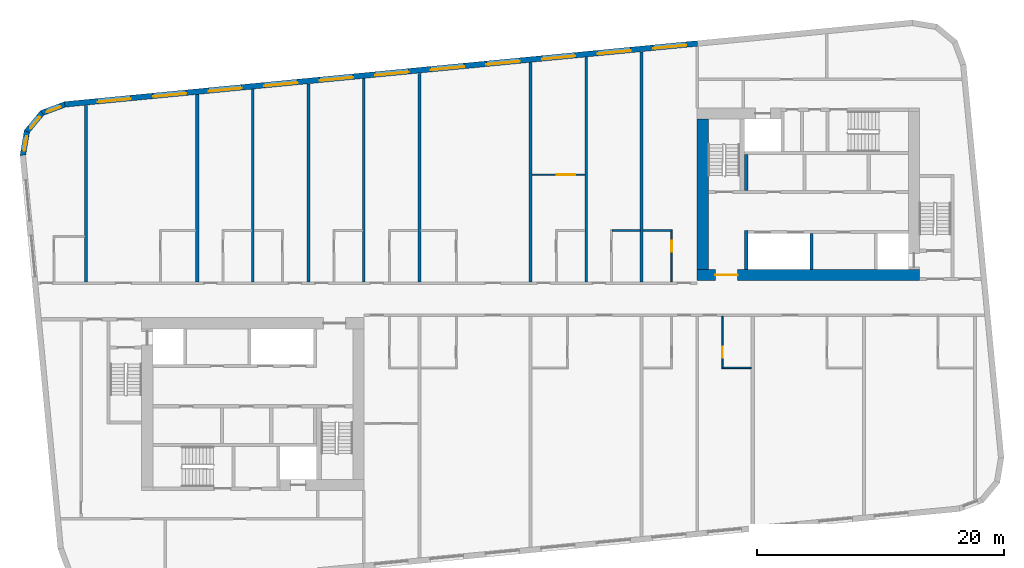
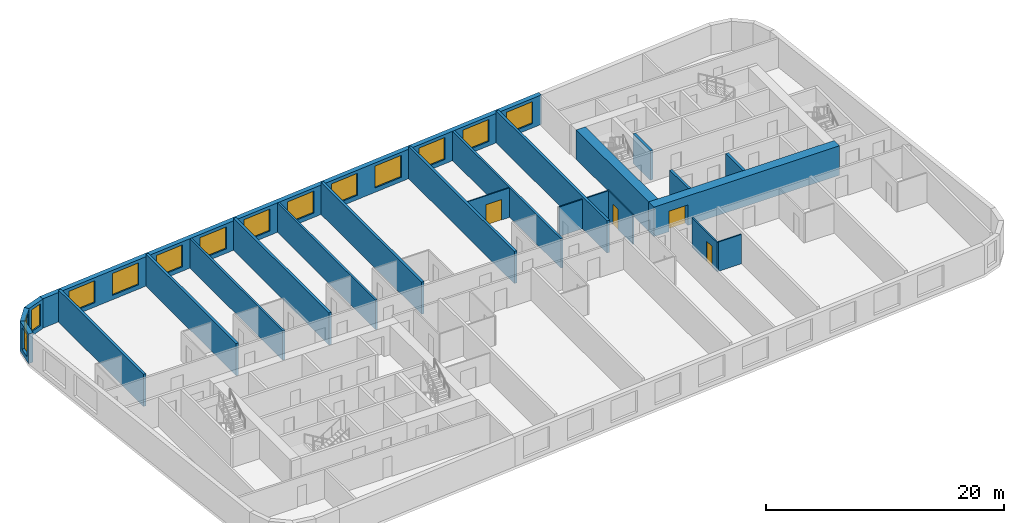
# One storey, part 5 of 11: 24 walls, 14 windows, 4 doors, 18 openings.
"""IFC4 building model written with IfcOpenShell, lengths in metres."""

from ifc_helpers import new_model, si_unit, direction, frame, frame_2d, origin, place, context, subcontext, project, spatial, polyline, rectangle, outline, extrude, material, layer, layer_set, type_object, element, fill, save


model = new_model("IFC4")

# Units and contexts
model_context = context("Model", 3, precision=1e-05, world=origin(), true_north=direction((0.0, 1.0)))
body_context = subcontext(model_context, "Body", "Model", "MODEL_VIEW")
ifc_project = project(units=[si_unit("LENGTHUNIT", "METRE"), si_unit("AREAUNIT", "SQUARE_METRE"), si_unit("VOLUMEUNIT", "CUBIC_METRE"), si_unit("PLANEANGLEUNIT", "RADIAN"), si_unit("MASSUNIT", "GRAM", prefix="KILO")], contexts=[model_context])

# Site, building, storey
site_placement = place(None, origin())
site = spatial("IfcSite", under=ifc_project, at=site_placement, CompositionType="ELEMENT")
building_placement = place(site_placement, origin())
building = spatial("IfcBuilding", under=site, at=building_placement, Name="Kajstack Hotel Tower", CompositionType="ELEMENT")
storey_placement = place(building_placement, frame((0.0, 0.0, 291.60009765625)))
storey = spatial("IfcBuildingStorey", under=building, at=storey_placement, Name="L73", CompositionType="ELEMENT", Elevation=291.60009765625)

# Wall, opening, door
ifc_material_1 = material(Name="Concrete C60/75", Category="concrete")
ifc_layer_1 = layer(ifc_material_1, 0.89990234375)
ifc_layer_set_1 = layer_set([ifc_layer_1], Name="Core wall 900")
wall_type_1 = type_object("IfcWallType", Name="Core wall 900", PredefinedType="SHEAR", material=ifc_layer_set_1)
wall_1_placement = place(storey_placement, frame((13.5, 1.949951171875, 0.0), z_axis=(0.0, 0.0, 1.0), x_axis=(1.0, 0.0, 0.0)))
wall_1 = element("IfcWall", 1, at=wall_1_placement, inside=storey, type_object=wall_type_1, Name="Core wall E RN", PredefinedType="SHEAR", context=body_context, shape_type="SweptSolid", body=[
    extrude(rectangle(XDim=18.0, YDim=0.89990234375, at=frame_2d((9.0, 0.0))), origin(), (0.0, 0.0, 1.0), 3.02001953125),
])
opening_1_placement = place(wall_1_placement, frame((1.47509765625, 0.0, 0.0)))
opening_1 = element("IfcOpeningElement", 2, at=opening_1_placement, cuts=wall_1, Name="Opening 73E05", PredefinedType="OPENING", context=body_context, shape_type="SweptSolid", body=[
    extrude(rectangle(XDim=1.800048828125, YDim=2.10009765625, at=frame_2d((0.89990234375, 1.050048828125))), frame((0.0, 0.4599609375, 0.0), z_axis=(0.0, -1.0, 0.0), x_axis=(1.0, 0.0, 0.0)), (0.0, 0.0, 1.0), 0.919921875),
])
ifc_material_2 = material(Name="Glazed steel frame, fire-rated glass", Category="steel")
door_type_1 = type_object("IfcDoorType", Name="Lobby double door 1800", OperationType="DOUBLE_DOOR_DOUBLE_SWING", PredefinedType="DOOR", material=ifc_material_2)
door_1_placement = place(opening_1_placement, origin())
door_1 = element("IfcDoor", 3, at=door_1_placement, inside=storey, type_object=door_type_1, Name="Door 73E05", OperationType="DOUBLE_DOOR_DOUBLE_SWING", OverallHeight=2.10009765625, OverallWidth=1.800048828125, PredefinedType="DOOR", context=body_context, shape_type="SweptSolid", body=[
    extrude(rectangle(XDim=1.800048828125, YDim=2.10009765625, at=frame_2d((0.89990234375, 1.050048828125))), frame((0.0, 0.02490234375, 0.0), z_axis=(0.0, -1.0, 0.0), x_axis=(1.0, 0.0, 0.0)), (0.0, 0.0, 1.0), 0.050048828125),
])
fill(opening_1, door_1)

# Walls
wall_2_placement = place(storey_placement, frame((13.949951171875, 2.39990234375, 0.0), z_axis=(0.0, 0.0, 1.0), x_axis=(0.0, 1.0, 0.0)))
element("IfcWall", 4, at=wall_2_placement, inside=storey, type_object=wall_type_1, Name="Core wall E RE", PredefinedType="SHEAR", context=body_context, shape_type="SweptSolid", body=[
    extrude(rectangle(XDim=12.2001953125, YDim=0.89990234375, at=frame_2d((6.10009765625, 0.0))), origin(), (0.0, 0.0, 1.0), 3.02001953125),
])
ifc_material_3 = material(Name="Twin-frame gypsum board on steel studs, mineral wool", Category="steel")
ifc_layer_2 = layer(ifc_material_3, 0.199951171875)
ifc_layer_set_2 = layer_set([ifc_layer_2], Name="Demising wall 200")
wall_type_2 = type_object("IfcWallType", Name="Demising wall 200", PredefinedType="PARTITIONING", material=ifc_layer_set_2)
wall_3_placement = place(storey_placement, frame((-22.5, 1.39990234375, 0.0), z_axis=(0.0, 0.0, 1.0), x_axis=(0.0, 1.0, 0.0)))
element("IfcWall", 5, at=wall_3_placement, inside=storey, type_object=wall_type_2, Name="G-wall-L73-008", PredefinedType="PARTITIONING", context=body_context, shape_type="SweptSolid", body=[
    extrude(rectangle(XDim=15.6181640625, YDim=0.199951171875, at=frame_2d((7.80908203125, 0.0))), origin(), (0.0, 0.0, 1.0), 3.02001953125),
])
wall_4_placement = place(storey_placement, frame((-13.5, 1.39990234375, 0.0), z_axis=(0.0, 0.0, 1.0), x_axis=(0.0, 1.0, 0.0)))
element("IfcWall", 6, at=wall_4_placement, inside=storey, type_object=wall_type_2, Name="G-wall-L73-013", PredefinedType="PARTITIONING", context=body_context, shape_type="SweptSolid", body=[
    extrude(rectangle(XDim=16.485107421875, YDim=0.199951171875, at=frame_2d((8.24267578125, 0.0))), origin(), (0.0, 0.0, 1.0), 3.02001953125),
])
wall_5_placement = place(storey_placement, frame((4.5, 1.39990234375, 0.0), z_axis=(0.0, 0.0, 1.0), x_axis=(0.0, 1.0, 0.0)))
element("IfcWall", 7, at=wall_5_placement, inside=storey, type_object=wall_type_2, Name="G-wall-L73-020", PredefinedType="PARTITIONING", context=body_context, shape_type="SweptSolid", body=[
    extrude(rectangle(XDim=18.218017578125, YDim=0.199951171875, at=frame_2d((9.10888671875, 0.0))), origin(), (0.0, 0.0, 1.0), 3.02001953125),
])

# Wall, openings, windows
ifc_material_4 = material(Name="Terracotta-faced brick masonry", Category="masonry")
ifc_layer_3 = layer(ifc_material_4, 0.449951171875)
ifc_layer_set_3 = layer_set([ifc_layer_3], Name="EW-TERRA")
wall_type_3 = type_object("IfcWallType", Name="EW-TERRA", PredefinedType="SOLIDWALL", material=ifc_layer_set_3)
wall_6_placement = place(storey_placement, frame((13.521484375, 20.712890625, 0.0), z_axis=(0.0, 0.0, 1.0), x_axis=(-0.995396277313, -0.095844932638, 0.0)))
wall_6 = element("IfcWall", 8, at=wall_6_placement, inside=storey, type_object=wall_type_3, Name="E-wall-L73-12-01", PredefinedType="SOLIDWALL", context=body_context, shape_type="SweptSolid", body=[
    extrude(rectangle(XDim=51.4951171875, YDim=0.449951171875, at=frame_2d((25.74755859375, 0.0))), origin(), (0.0, 0.0, 1.0), 3.02001953125),
])
opening_2_placement = place(wall_6_placement, frame((0.910400390625, 0.0, 0.449951171875)))
opening_2 = element("IfcOpeningElement", 9, at=opening_2_placement, cuts=wall_6, Name="Opening W1", PredefinedType="OPENING", context=body_context, shape_type="SweptSolid", body=[
    extrude(rectangle(XDim=2.699951171875, YDim=2.25, at=frame_2d((1.35009765625, 1.125))), frame((0.0, 0.23486328125, 0.0), z_axis=(0.0, -1.0, 0.0), x_axis=(1.0, 0.0, 0.0)), (0.0, 0.0, 1.0), 0.469970703125),
])
opening_3_placement = place(wall_6_placement, frame((5.43115234375, 0.0, 0.449951171875)))
opening_3 = element("IfcOpeningElement", 10, at=opening_3_placement, cuts=wall_6, Name="Opening W1", PredefinedType="OPENING", context=body_context, shape_type="SweptSolid", body=[
    extrude(rectangle(XDim=2.699951171875, YDim=2.25, at=frame_2d((1.35009765625, 1.125))), frame((0.0, 0.23486328125, 0.0), z_axis=(0.0, -1.0, 0.0), x_axis=(1.0, 0.0, 0.0)), (0.0, 0.0, 1.0), 0.469970703125),
])
opening_4_placement = place(wall_6_placement, frame((9.951904296875, 0.0, 0.449951171875)))
opening_4 = element("IfcOpeningElement", 11, at=opening_4_placement, cuts=wall_6, Name="Opening W1", PredefinedType="OPENING", context=body_context, shape_type="SweptSolid", body=[
    extrude(rectangle(XDim=2.699951171875, YDim=2.25, at=frame_2d((1.35009765625, 1.125))), frame((0.0, 0.23486328125, 0.0), z_axis=(0.0, -1.0, 0.0), x_axis=(1.0, 0.0, 0.0)), (0.0, 0.0, 1.0), 0.469970703125),
])
opening_5_placement = place(wall_6_placement, frame((14.472900390625, 0.0, 0.449951171875)))
opening_5 = element("IfcOpeningElement", 12, at=opening_5_placement, cuts=wall_6, Name="Opening W1", PredefinedType="OPENING", context=body_context, shape_type="SweptSolid", body=[
    extrude(rectangle(XDim=2.699951171875, YDim=2.25, at=frame_2d((1.35009765625, 1.125))), frame((0.0, 0.23486328125, 0.0), z_axis=(0.0, -1.0, 0.0), x_axis=(1.0, 0.0, 0.0)), (0.0, 0.0, 1.0), 0.469970703125),
])
opening_6_placement = place(wall_6_placement, frame((18.99365234375, 0.0, 0.449951171875)))
opening_6 = element("IfcOpeningElement", 13, at=opening_6_placement, cuts=wall_6, Name="Opening W1", PredefinedType="OPENING", context=body_context, shape_type="SweptSolid", body=[
    extrude(rectangle(XDim=2.699951171875, YDim=2.25, at=frame_2d((1.35009765625, 1.125))), frame((0.0, 0.23486328125, 0.0), z_axis=(0.0, -1.0, 0.0), x_axis=(1.0, 0.0, 0.0)), (0.0, 0.0, 1.0), 0.469970703125),
])
opening_7_placement = place(wall_6_placement, frame((23.514404296875, 0.0, 0.449951171875)))
opening_7 = element("IfcOpeningElement", 14, at=opening_7_placement, cuts=wall_6, Name="Opening W1", PredefinedType="OPENING", context=body_context, shape_type="SweptSolid", body=[
    extrude(rectangle(XDim=2.699951171875, YDim=2.25, at=frame_2d((1.35009765625, 1.125))), frame((0.0, 0.23486328125, 0.0), z_axis=(0.0, -1.0, 0.0), x_axis=(1.0, 0.0, 0.0)), (0.0, 0.0, 1.0), 0.469970703125),
])
opening_8_placement = place(wall_6_placement, frame((28.035400390625, 0.0, 0.449951171875)))
opening_8 = element("IfcOpeningElement", 15, at=opening_8_placement, cuts=wall_6, Name="Opening W1", PredefinedType="OPENING", context=body_context, shape_type="SweptSolid", body=[
    extrude(rectangle(XDim=2.699951171875, YDim=2.25, at=frame_2d((1.35009765625, 1.125))), frame((0.0, 0.23486328125, 0.0), z_axis=(0.0, -1.0, 0.0), x_axis=(1.0, 0.0, 0.0)), (0.0, 0.0, 1.0), 0.469970703125),
])
opening_9_placement = place(wall_6_placement, frame((32.55615234375, 0.0, 0.449951171875)))
opening_9 = element("IfcOpeningElement", 16, at=opening_9_placement, cuts=wall_6, Name="Opening W1", PredefinedType="OPENING", context=body_context, shape_type="SweptSolid", body=[
    extrude(rectangle(XDim=2.699951171875, YDim=2.25, at=frame_2d((1.35009765625, 1.125))), frame((0.0, 0.23486328125, 0.0), z_axis=(0.0, -1.0, 0.0), x_axis=(1.0, 0.0, 0.0)), (0.0, 0.0, 1.0), 0.469970703125),
])
opening_10_placement = place(wall_6_placement, frame((37.076904296875, 0.0, 0.449951171875)))
opening_10 = element("IfcOpeningElement", 17, at=opening_10_placement, cuts=wall_6, Name="Opening W1", PredefinedType="OPENING", context=body_context, shape_type="SweptSolid", body=[
    extrude(rectangle(XDim=2.699951171875, YDim=2.25, at=frame_2d((1.35009765625, 1.125))), frame((0.0, 0.23486328125, 0.0), z_axis=(0.0, -1.0, 0.0), x_axis=(1.0, 0.0, 0.0)), (0.0, 0.0, 1.0), 0.469970703125),
])
opening_11_placement = place(wall_6_placement, frame((41.59765625, 0.0, 0.449951171875)))
opening_11 = element("IfcOpeningElement", 18, at=opening_11_placement, cuts=wall_6, Name="Opening W1", PredefinedType="OPENING", context=body_context, shape_type="SweptSolid", body=[
    extrude(rectangle(XDim=2.699951171875, YDim=2.25, at=frame_2d((1.35009765625, 1.125))), frame((0.0, 0.23486328125, 0.0), z_axis=(0.0, -1.0, 0.0), x_axis=(1.0, 0.0, 0.0)), (0.0, 0.0, 1.0), 0.469970703125),
])
opening_12_placement = place(wall_6_placement, frame((46.118408203125, 0.0, 0.449951171875)))
opening_12 = element("IfcOpeningElement", 19, at=opening_12_placement, cuts=wall_6, Name="Opening W1", PredefinedType="OPENING", context=body_context, shape_type="SweptSolid", body=[
    extrude(rectangle(XDim=2.699951171875, YDim=2.25, at=frame_2d((1.35009765625, 1.125))), frame((0.0, 0.23486328125, 0.0), z_axis=(0.0, -1.0, 0.0), x_axis=(1.0, 0.0, 0.0)), (0.0, 0.0, 1.0), 0.469970703125),
])
ifc_material_5 = material(Name="Timber-aluminium window, triple glazed", Category="wood")
window_type_1 = type_object("IfcWindowType", Name="WG1", PartitioningType="SINGLE_PANEL", PredefinedType="WINDOW", material=ifc_material_5)
window_1_placement = place(opening_2_placement, origin())
window_1 = element("IfcWindow", 20, at=window_1_placement, inside=storey, type_object=window_type_1, Name="Window W1 L73-12", OverallHeight=2.25, OverallWidth=2.699951171875, PartitioningType="SINGLE_PANEL", PredefinedType="WINDOW", context=body_context, shape_type="SweptSolid", body=[
    extrude(rectangle(XDim=2.699951171875, YDim=2.25, at=frame_2d((1.35009765625, 1.125))), frame((0.0, 0.090087890625, 0.0), z_axis=(0.0, -1.0, 0.0), x_axis=(1.0, 0.0, 0.0)), (0.0, 0.0, 1.0), 0.06005859375),
])
fill(opening_2, window_1)
window_2_placement = place(opening_3_placement, origin())
window_2 = element("IfcWindow", 21, at=window_2_placement, inside=storey, type_object=window_type_1, Name="Window W1 L73-12", OverallHeight=2.25, OverallWidth=2.699951171875, PartitioningType="SINGLE_PANEL", PredefinedType="WINDOW", context=body_context, shape_type="SweptSolid", body=[
    extrude(rectangle(XDim=2.699951171875, YDim=2.25, at=frame_2d((1.35009765625, 1.125))), frame((0.0, 0.090087890625, 0.0), z_axis=(0.0, -1.0, 0.0), x_axis=(1.0, 0.0, 0.0)), (0.0, 0.0, 1.0), 0.06005859375),
])
fill(opening_3, window_2)
window_3_placement = place(opening_4_placement, origin())
window_3 = element("IfcWindow", 22, at=window_3_placement, inside=storey, type_object=window_type_1, Name="Window W1 L73-12", OverallHeight=2.25, OverallWidth=2.699951171875, PartitioningType="SINGLE_PANEL", PredefinedType="WINDOW", context=body_context, shape_type="SweptSolid", body=[
    extrude(rectangle(XDim=2.699951171875, YDim=2.25, at=frame_2d((1.35009765625, 1.125))), frame((0.0, 0.090087890625, 0.0), z_axis=(0.0, -1.0, 0.0), x_axis=(1.0, 0.0, 0.0)), (0.0, 0.0, 1.0), 0.06005859375),
])
fill(opening_4, window_3)
window_4_placement = place(opening_5_placement, origin())
window_4 = element("IfcWindow", 23, at=window_4_placement, inside=storey, type_object=window_type_1, Name="Window W1 L73-12", OverallHeight=2.25, OverallWidth=2.699951171875, PartitioningType="SINGLE_PANEL", PredefinedType="WINDOW", context=body_context, shape_type="SweptSolid", body=[
    extrude(rectangle(XDim=2.699951171875, YDim=2.25, at=frame_2d((1.35009765625, 1.125))), frame((0.0, 0.090087890625, 0.0), z_axis=(0.0, -1.0, 0.0), x_axis=(1.0, 0.0, 0.0)), (0.0, 0.0, 1.0), 0.06005859375),
])
fill(opening_5, window_4)
window_5_placement = place(opening_6_placement, origin())
window_5 = element("IfcWindow", 24, at=window_5_placement, inside=storey, type_object=window_type_1, Name="Window W1 L73-12", OverallHeight=2.25, OverallWidth=2.699951171875, PartitioningType="SINGLE_PANEL", PredefinedType="WINDOW", context=body_context, shape_type="SweptSolid", body=[
    extrude(rectangle(XDim=2.699951171875, YDim=2.25, at=frame_2d((1.35009765625, 1.125))), frame((0.0, 0.090087890625, 0.0), z_axis=(0.0, -1.0, 0.0), x_axis=(1.0, 0.0, 0.0)), (0.0, 0.0, 1.0), 0.06005859375),
])
fill(opening_6, window_5)
window_6_placement = place(opening_7_placement, origin())
window_6 = element("IfcWindow", 25, at=window_6_placement, inside=storey, type_object=window_type_1, Name="Window W1 L73-12", OverallHeight=2.25, OverallWidth=2.699951171875, PartitioningType="SINGLE_PANEL", PredefinedType="WINDOW", context=body_context, shape_type="SweptSolid", body=[
    extrude(rectangle(XDim=2.699951171875, YDim=2.25, at=frame_2d((1.35009765625, 1.125))), frame((0.0, 0.090087890625, 0.0), z_axis=(0.0, -1.0, 0.0), x_axis=(1.0, 0.0, 0.0)), (0.0, 0.0, 1.0), 0.06005859375),
])
fill(opening_7, window_6)
window_7_placement = place(opening_8_placement, origin())
window_7 = element("IfcWindow", 26, at=window_7_placement, inside=storey, type_object=window_type_1, Name="Window W1 L73-12", OverallHeight=2.25, OverallWidth=2.699951171875, PartitioningType="SINGLE_PANEL", PredefinedType="WINDOW", context=body_context, shape_type="SweptSolid", body=[
    extrude(rectangle(XDim=2.699951171875, YDim=2.25, at=frame_2d((1.35009765625, 1.125))), frame((0.0, 0.090087890625, 0.0), z_axis=(0.0, -1.0, 0.0), x_axis=(1.0, 0.0, 0.0)), (0.0, 0.0, 1.0), 0.06005859375),
])
fill(opening_8, window_7)
window_8_placement = place(opening_9_placement, origin())
window_8 = element("IfcWindow", 27, at=window_8_placement, inside=storey, type_object=window_type_1, Name="Window W1 L73-12", OverallHeight=2.25, OverallWidth=2.699951171875, PartitioningType="SINGLE_PANEL", PredefinedType="WINDOW", context=body_context, shape_type="SweptSolid", body=[
    extrude(rectangle(XDim=2.699951171875, YDim=2.25, at=frame_2d((1.35009765625, 1.125))), frame((0.0, 0.090087890625, 0.0), z_axis=(0.0, -1.0, 0.0), x_axis=(1.0, 0.0, 0.0)), (0.0, 0.0, 1.0), 0.06005859375),
])
fill(opening_9, window_8)
window_9_placement = place(opening_10_placement, origin())
window_9 = element("IfcWindow", 28, at=window_9_placement, inside=storey, type_object=window_type_1, Name="Window W1 L73-12", OverallHeight=2.25, OverallWidth=2.699951171875, PartitioningType="SINGLE_PANEL", PredefinedType="WINDOW", context=body_context, shape_type="SweptSolid", body=[
    extrude(rectangle(XDim=2.699951171875, YDim=2.25, at=frame_2d((1.35009765625, 1.125))), frame((0.0, 0.090087890625, 0.0), z_axis=(0.0, -1.0, 0.0), x_axis=(1.0, 0.0, 0.0)), (0.0, 0.0, 1.0), 0.06005859375),
])
fill(opening_10, window_9)
window_10_placement = place(opening_11_placement, origin())
window_10 = element("IfcWindow", 29, at=window_10_placement, inside=storey, type_object=window_type_1, Name="Window W1 L73-12", OverallHeight=2.25, OverallWidth=2.699951171875, PartitioningType="SINGLE_PANEL", PredefinedType="WINDOW", context=body_context, shape_type="SweptSolid", body=[
    extrude(rectangle(XDim=2.699951171875, YDim=2.25, at=frame_2d((1.35009765625, 1.125))), frame((0.0, 0.090087890625, 0.0), z_axis=(0.0, -1.0, 0.0), x_axis=(1.0, 0.0, 0.0)), (0.0, 0.0, 1.0), 0.06005859375),
])
fill(opening_11, window_10)
window_11_placement = place(opening_12_placement, origin())
window_11 = element("IfcWindow", 30, at=window_11_placement, inside=storey, type_object=window_type_1, Name="Window W1 L73-12", OverallHeight=2.25, OverallWidth=2.699951171875, PartitioningType="SINGLE_PANEL", PredefinedType="WINDOW", context=body_context, shape_type="SweptSolid", body=[
    extrude(rectangle(XDim=2.699951171875, YDim=2.25, at=frame_2d((1.35009765625, 1.125))), frame((0.0, 0.090087890625, 0.0), z_axis=(0.0, -1.0, 0.0), x_axis=(1.0, 0.0, 0.0)), (0.0, 0.0, 1.0), 0.06005859375),
])
fill(opening_12, window_11)

# Wall, opening, window
wall_7_placement = place(storey_placement, frame((-37.67919921875, 15.79052734375, 0.0), z_axis=(0.0, 0.0, 1.0), x_axis=(-0.936677599948, -0.350192909346, 0.0)))
wall_7 = element("IfcWall", 31, at=wall_7_placement, inside=storey, type_object=wall_type_3, Name="E-wall-L73-13-00", PredefinedType="SOLIDWALL", context=body_context, shape_type="SweptSolid", body=[
    extrude(outline(polyline([(0.000244140625, -0.224853515625), (2.070556640625, -0.224853515625), (1.949951171875, 0.22509765625), (0.12060546875, 0.22509765625), (0.000244140625, -0.224853515625)])), origin(), (0.0, 0.0, 1.0), 3.02001953125),
])
opening_13_placement = place(wall_7_placement, frame((0.435302734375, 0.0, 0.449951171875)))
opening_13 = element("IfcOpeningElement", 32, at=opening_13_placement, cuts=wall_7, Name="Opening W3", PredefinedType="OPENING", context=body_context, shape_type="SweptSolid", body=[
    extrude(rectangle(XDim=1.199951171875, YDim=2.25, at=frame_2d((0.60009765625, 1.125))), frame((0.0, 0.23486328125, 0.0), z_axis=(0.0, -1.0, 0.0), x_axis=(1.0, 0.0, 0.0)), (0.0, 0.0, 1.0), 0.469970703125),
])
window_type_2 = type_object("IfcWindowType", Name="WG3", PartitioningType="SINGLE_PANEL", PredefinedType="WINDOW", material=ifc_material_5)
window_12_placement = place(opening_13_placement, origin())
window_12 = element("IfcWindow", 33, at=window_12_placement, inside=storey, type_object=window_type_2, Name="Window W3 L73-13", OverallHeight=2.25, OverallWidth=1.199951171875, PartitioningType="SINGLE_PANEL", PredefinedType="WINDOW", context=body_context, shape_type="SweptSolid", body=[
    extrude(rectangle(XDim=1.199951171875, YDim=2.25, at=frame_2d((0.60009765625, 1.125))), frame((0.0, 0.090087890625, 0.0), z_axis=(0.0, -1.0, 0.0), x_axis=(1.0, 0.0, 0.0)), (0.0, 0.0, 1.0), 0.06005859375),
])
fill(opening_13, window_12)

wall_8_placement = place(storey_placement, frame((-39.52392578125, 15.133056640625, 0.0), z_axis=(0.0, 0.0, 1.0), x_axis=(-0.636046112757, -0.771651049663, 0.0)))
wall_8 = element("IfcWall", 34, at=wall_8_placement, inside=storey, type_object=wall_type_3, Name="E-wall-L73-14-00", PredefinedType="SOLIDWALL", context=body_context, shape_type="SweptSolid", body=[
    extrude(outline(polyline([(0.0, -0.224853515625), (2.070556640625, -0.224853515625), (1.949951171875, 0.22509765625), (0.12060546875, 0.22509765625), (0.0, -0.224853515625)])), origin(), (0.0, 0.0, 1.0), 3.02001953125),
])
opening_14_placement = place(wall_8_placement, frame((0.435302734375, 0.0, 0.449951171875)))
opening_14 = element("IfcOpeningElement", 35, at=opening_14_placement, cuts=wall_8, Name="Opening W3", PredefinedType="OPENING", context=body_context, shape_type="SweptSolid", body=[
    extrude(rectangle(XDim=1.199951171875, YDim=2.25, at=frame_2d((0.60009765625, 1.125))), frame((0.0, 0.23486328125, 0.0), z_axis=(0.0, -1.0, 0.0), x_axis=(1.0, 0.0, 0.0)), (0.0, 0.0, 1.0), 0.469970703125),
])
window_13_placement = place(opening_14_placement, origin())
window_13 = element("IfcWindow", 36, at=window_13_placement, inside=storey, type_object=window_type_2, Name="Window W3 L73-14", OverallHeight=2.25, OverallWidth=1.199951171875, PartitioningType="SINGLE_PANEL", PredefinedType="WINDOW", context=body_context, shape_type="SweptSolid", body=[
    extrude(rectangle(XDim=1.199951171875, YDim=2.25, at=frame_2d((0.60009765625, 1.125))), frame((0.0, 0.090087890625, 0.0), z_axis=(0.0, -1.0, 0.0), x_axis=(1.0, 0.0, 0.0)), (0.0, 0.0, 1.0), 0.06005859375),
])
fill(opening_14, window_13)

wall_9_placement = place(storey_placement, frame((-40.79248046875, 13.641357421875, 0.0), z_axis=(0.0, 0.0, 1.0), x_axis=(-0.165068144653, -0.986282164302, 0.0)))
wall_9 = element("IfcWall", 37, at=wall_9_placement, inside=storey, type_object=wall_type_3, Name="E-wall-L73-15-00", PredefinedType="SOLIDWALL", context=body_context, shape_type="SweptSolid", body=[
    extrude(outline(polyline([(0.0, -0.22509765625), (2.070556640625, -0.22509765625), (1.949951171875, 0.224853515625), (0.12060546875, 0.224853515625), (0.0, -0.22509765625)])), origin(), (0.0, 0.0, 1.0), 3.02001953125),
])
opening_15_placement = place(wall_9_placement, frame((0.435302734375, 0.0, 0.449951171875)))
opening_15 = element("IfcOpeningElement", 38, at=opening_15_placement, cuts=wall_9, Name="Opening W3", PredefinedType="OPENING", context=body_context, shape_type="SweptSolid", body=[
    extrude(rectangle(XDim=1.199951171875, YDim=2.25, at=frame_2d((0.60009765625, 1.125))), frame((0.0, 0.23486328125, 0.0), z_axis=(0.0, -1.0, 0.0), x_axis=(1.0, 0.0, 0.0)), (0.0, 0.0, 1.0), 0.469970703125),
])
window_14_placement = place(opening_15_placement, origin())
window_14 = element("IfcWindow", 39, at=window_14_placement, inside=storey, type_object=window_type_2, Name="Window W3 L73-15", OverallHeight=2.25, OverallWidth=1.199951171875, PartitioningType="SINGLE_PANEL", PredefinedType="WINDOW", context=body_context, shape_type="SweptSolid", body=[
    extrude(rectangle(XDim=1.199951171875, YDim=2.25, at=frame_2d((0.60009765625, 1.125))), frame((0.0, 0.090087890625, 0.0), z_axis=(0.0, -1.0, 0.0), x_axis=(1.0, 0.0, 0.0)), (0.0, 0.0, 1.0), 0.06005859375),
])
fill(opening_15, window_14)

# Wall
ifc_material_6 = material(Name="Gypsum board and tiled backer on steel studs", Category="steel")
ifc_layer_4 = layer(ifc_material_6, 0.125)
ifc_layer_set_4 = layer_set([ifc_layer_4], Name="En-suite wall 125")
wall_type_4 = type_object("IfcWallType", Name="En-suite wall 125", PredefinedType="PARTITIONING", material=ifc_layer_set_4)
wall_10_placement = place(storey_placement, frame((6.625, 5.56201171875, 0.0), z_axis=(0.0, 0.0, 1.0), x_axis=(1.0, 0.0, 0.0)))
element("IfcWall", 40, at=wall_10_placement, inside=storey, type_object=wall_type_4, Name="G-wall-L73-025", PredefinedType="PARTITIONING", context=body_context, shape_type="SweptSolid", body=[
    extrude(rectangle(XDim=2.25, YDim=0.125, at=frame_2d((1.125, 0.0))), origin(), (0.0, 0.0, 1.0), 3.02001953125),
])

# Wall, opening, door
wall_11_placement = place(storey_placement, frame((11.43798828125, 1.39990234375, 0.0), z_axis=(0.0, 0.0, 1.0), x_axis=(0.0, 1.0, 0.0)))
wall_11 = element("IfcWall", 41, at=wall_11_placement, inside=storey, type_object=wall_type_4, Name="G-wall-L73-026", PredefinedType="PARTITIONING", context=body_context, shape_type="SweptSolid", body=[
    extrude(rectangle(XDim=4.22509765625, YDim=0.125, at=frame_2d((2.112548828125, 0.0))), origin(), (0.0, 0.0, 1.0), 3.02001953125),
])
opening_16_placement = place(wall_11_placement, frame((2.449951171875, 0.0, 0.0)))
opening_16 = element("IfcOpeningElement", 42, at=opening_16_placement, cuts=wall_11, Name="Opening 73021", PredefinedType="OPENING", context=body_context, shape_type="SweptSolid", body=[
    extrude(rectangle(XDim=0.89990234375, YDim=2.10009765625, at=frame_2d((0.449951171875, 1.050048828125))), frame((0.0, 0.072509765625, 0.0), z_axis=(0.0, -1.0, 0.0), x_axis=(1.0, 0.0, 0.0)), (0.0, 0.0, 1.0), 0.14501953125),
])
ifc_material_7 = material(Name="Painted timber door leaf", Category="wood")
door_type_2 = type_object("IfcDoorType", Name="Room door 900", OperationType="SINGLE_SWING_LEFT", PredefinedType="DOOR", material=ifc_material_7)
door_2_placement = place(opening_16_placement, origin())
door_2 = element("IfcDoor", 43, at=door_2_placement, inside=storey, type_object=door_type_2, Name="G-door-L73-21", OperationType="SINGLE_SWING_LEFT", OverallHeight=2.10009765625, OverallWidth=0.89990234375, PredefinedType="DOOR", context=body_context, shape_type="SweptSolid", body=[
    extrude(rectangle(XDim=0.89990234375, YDim=2.10009765625, at=frame_2d((0.449951171875, 1.050048828125))), frame((0.0, 0.02490234375, 0.0), z_axis=(0.0, -1.0, 0.0), x_axis=(1.0, 0.0, 0.0)), (0.0, 0.0, 1.0), 0.050048828125),
])
fill(opening_16, door_2)

# Wall
wall_12_placement = place(storey_placement, frame((9.125, 5.56201171875, 0.0), z_axis=(0.0, 0.0, 1.0), x_axis=(1.0, 0.0, 0.0)))
element("IfcWall", 44, at=wall_12_placement, inside=storey, type_object=wall_type_4, Name="G-wall-L73-027", PredefinedType="PARTITIONING", context=body_context, shape_type="SweptSolid", body=[
    extrude(rectangle(XDim=2.25, YDim=0.125, at=frame_2d((1.125, 0.0))), origin(), (0.0, 0.0, 1.0), 3.02001953125),
])

# Wall, opening, door
wall_13_placement = place(storey_placement, frame((15.56201171875, -5.625, 0.0), z_axis=(0.0, 0.0, 1.0), x_axis=(0.0, 1.0, 0.0)))
wall_13 = element("IfcWall", 45, at=wall_13_placement, inside=storey, type_object=wall_type_4, Name="G-wall-L73-039", PredefinedType="PARTITIONING", context=body_context, shape_type="SweptSolid", body=[
    extrude(rectangle(XDim=4.22509765625, YDim=0.125, at=frame_2d((2.112548828125, 0.0))), origin(), (0.0, 0.0, 1.0), 3.02001953125),
])
opening_17_placement = place(wall_13_placement, frame((0.875, 0.0, 0.0)))
opening_17 = element("IfcOpeningElement", 46, at=opening_17_placement, cuts=wall_13, Name="Opening 73032", PredefinedType="OPENING", context=body_context, shape_type="SweptSolid", body=[
    extrude(rectangle(XDim=0.89990234375, YDim=2.10009765625, at=frame_2d((0.449951171875, 1.050048828125))), frame((0.0, 0.072509765625, 0.0), z_axis=(0.0, -1.0, 0.0), x_axis=(1.0, 0.0, 0.0)), (0.0, 0.0, 1.0), 0.14501953125),
])
door_3_placement = place(opening_17_placement, origin())
door_3 = element("IfcDoor", 47, at=door_3_placement, inside=storey, type_object=door_type_2, Name="G-door-L73-32", OperationType="SINGLE_SWING_LEFT", OverallHeight=2.10009765625, OverallWidth=0.89990234375, PredefinedType="DOOR", context=body_context, shape_type="SweptSolid", body=[
    extrude(rectangle(XDim=0.89990234375, YDim=2.10009765625, at=frame_2d((0.449951171875, 1.050048828125))), frame((0.0, 0.02490234375, 0.0), z_axis=(0.0, -1.0, 0.0), x_axis=(1.0, 0.0, 0.0)), (0.0, 0.0, 1.0), 0.050048828125),
])
fill(opening_17, door_3)

# Walls
wall_14_placement = place(storey_placement, frame((15.625, -5.56201171875, 0.0), z_axis=(0.0, 0.0, 1.0), x_axis=(1.0, 0.0, 0.0)))
element("IfcWall", 48, at=wall_14_placement, inside=storey, type_object=wall_type_4, Name="G-wall-L73-040", PredefinedType="PARTITIONING", context=body_context, shape_type="SweptSolid", body=[
    extrude(rectangle(XDim=2.25, YDim=0.125, at=frame_2d((1.125, 0.0))), origin(), (0.0, 0.0, 1.0), 3.02001953125),
])
ifc_material_8 = material(Name="Concrete C50/60", Category="concrete")
ifc_layer_5 = layer(ifc_material_8, 0.300048828125)
ifc_layer_set_5 = layer_set([ifc_layer_5], Name="Hoistway divider wall 300")
wall_type_5 = type_object("IfcWallType", Name="Hoistway divider wall 300", PredefinedType="SHEAR", material=ifc_layer_set_5)
wall_15_placement = place(storey_placement, frame((22.77490234375, 2.39990234375, 0.0), z_axis=(0.0, 0.0, 1.0), x_axis=(0.0, 1.0, 0.0)))
element("IfcWall", 49, at=wall_15_placement, inside=storey, type_object=wall_type_5, Name="Core wall E AP2", PredefinedType="SHEAR", context=body_context, shape_type="SweptSolid", body=[
    extrude(rectangle(XDim=2.900146484375, YDim=0.25, at=frame_2d((1.4501953125, 0.0))), origin(), (0.0, 0.0, 1.0), 3.02001953125),
])

# Wall, opening, door
ifc_material_9 = material(Name="Gypsum board on steel studs", Category="steel")
ifc_layer_6 = layer(ifc_material_9, 0.10009765625)
ifc_layer_set_6 = layer_set([ifc_layer_6], Name="Partition 100")
wall_type_6 = type_object("IfcWallType", Name="Partition 100", PredefinedType="PARTITIONING", material=ifc_layer_set_6)
wall_16_placement = place(storey_placement, frame((0.125, 10.074951171875, 0.0), z_axis=(0.0, 0.0, 1.0), x_axis=(1.0, 0.0, 0.0)))
wall_16 = element("IfcWall", 50, at=wall_16_placement, inside=storey, type_object=wall_type_6, Name="G-wall-L73-023", PredefinedType="PARTITIONING", context=body_context, shape_type="SweptSolid", body=[
    extrude(rectangle(XDim=4.27490234375, YDim=0.10009765625, at=frame_2d((2.137451171875, 0.0))), origin(), (0.0, 0.0, 1.0), 3.02001953125),
])
opening_18_placement = place(wall_16_placement, frame((1.988037109375, 0.0, 0.0)))
opening_18 = element("IfcOpeningElement", 51, at=opening_18_placement, cuts=wall_16, Name="Opening 73017", PredefinedType="OPENING", context=body_context, shape_type="SweptSolid", body=[
    extrude(rectangle(XDim=1.5, YDim=2.10009765625, at=frame_2d((0.75, 1.050048828125))), frame((0.0, 0.06005859375, 0.0), z_axis=(0.0, -1.0, 0.0), x_axis=(1.0, 0.0, 0.0)), (0.0, 0.0, 1.0), 0.1201171875),
])
ifc_material_10 = material(Name="Painted timber door leaves, glazed panels", Category="wood")
door_type_3 = type_object("IfcDoorType", Name="Double door 1500", OperationType="SINGLE_SWING_LEFT", PredefinedType="DOOR", material=ifc_material_10)
door_4_placement = place(opening_18_placement, origin())
door_4 = element("IfcDoor", 52, at=door_4_placement, inside=storey, type_object=door_type_3, Name="G-door-L73-17", OperationType="SINGLE_SWING_RIGHT", OverallHeight=2.10009765625, OverallWidth=1.5, PredefinedType="DOOR", context=body_context, shape_type="SweptSolid", body=[
    extrude(rectangle(XDim=1.5, YDim=2.10009765625, at=frame_2d((0.75, 1.050048828125))), frame((0.0, 0.02490234375, 0.0), z_axis=(0.0, -1.0, 0.0), x_axis=(1.0, 0.0, 0.0)), (0.0, 0.0, 1.0), 0.050048828125),
])
fill(opening_18, door_4)

# Walls
ifc_material_11 = material(Name="Concrete C40/50", Category="concrete")
ifc_layer_7 = layer(ifc_material_11, 0.25)
ifc_layer_set_7 = layer_set([ifc_layer_7], Name="RC cross wall 250 C40/50")
wall_type_7 = type_object("IfcWallType", Name="RC cross wall 250 C40/50", PredefinedType="SHEAR", material=ifc_layer_set_7)
wall_17_placement = place(storey_placement, frame((-36.0, 1.39990234375, 0.0), z_axis=(0.0, 0.0, 1.0), x_axis=(0.0, 1.0, 0.0)))
element("IfcWall", 53, at=wall_17_placement, inside=storey, type_object=wall_type_7, Name="S-wall-L73-01", PredefinedType="SHEAR", context=body_context, shape_type="SweptSolid", body=[
    extrude(rectangle(XDim=14.29638671875, YDim=0.25, at=frame_2d((7.148193359375, 0.0))), origin(), (0.0, 0.0, 1.0), 3.2998046875),
])
wall_18_placement = place(storey_placement, frame((-27.0, 1.39990234375, 0.0), z_axis=(0.0, 0.0, 1.0), x_axis=(0.0, 1.0, 0.0)))
element("IfcWall", 54, at=wall_18_placement, inside=storey, type_object=wall_type_7, Name="S-wall-L73-02", PredefinedType="SHEAR", context=body_context, shape_type="SweptSolid", body=[
    extrude(rectangle(XDim=15.1630859375, YDim=0.25, at=frame_2d((7.58154296875, 0.0))), origin(), (0.0, 0.0, 1.0), 3.2998046875),
])
wall_19_placement = place(storey_placement, frame((-18.0, 1.39990234375, 0.0), z_axis=(0.0, 0.0, 1.0), x_axis=(0.0, 1.0, 0.0)))
element("IfcWall", 55, at=wall_19_placement, inside=storey, type_object=wall_type_7, Name="S-wall-L73-03", PredefinedType="SHEAR", context=body_context, shape_type="SweptSolid", body=[
    extrude(rectangle(XDim=16.029541015625, YDim=0.25, at=frame_2d((8.0146484375, 0.0))), origin(), (0.0, 0.0, 1.0), 3.2998046875),
])
wall_20_placement = place(storey_placement, frame((-9.0, 1.39990234375, 0.0), z_axis=(0.0, 0.0, 1.0), x_axis=(0.0, 1.0, 0.0)))
element("IfcWall", 56, at=wall_20_placement, inside=storey, type_object=wall_type_7, Name="S-wall-L73-05", PredefinedType="SHEAR", context=body_context, shape_type="SweptSolid", body=[
    extrude(rectangle(XDim=16.896240234375, YDim=0.25, at=frame_2d((8.4482421875, 0.0))), origin(), (0.0, 0.0, 1.0), 3.2998046875),
])
wall_21_placement = place(storey_placement, frame((0.0, 1.39990234375, 0.0), z_axis=(0.0, 0.0, 1.0), x_axis=(0.0, 1.0, 0.0)))
element("IfcWall", 57, at=wall_21_placement, inside=storey, type_object=wall_type_7, Name="S-wall-L73-07", PredefinedType="SHEAR", context=body_context, shape_type="SweptSolid", body=[
    extrude(rectangle(XDim=17.7626953125, YDim=0.25, at=frame_2d((8.88134765625, 0.0))), origin(), (0.0, 0.0, 1.0), 3.2998046875),
])
wall_22_placement = place(storey_placement, frame((9.0, 1.39990234375, 0.0), z_axis=(0.0, 0.0, 1.0), x_axis=(0.0, 1.0, 0.0)))
element("IfcWall", 58, at=wall_22_placement, inside=storey, type_object=wall_type_7, Name="S-wall-L73-09", PredefinedType="SHEAR", context=body_context, shape_type="SweptSolid", body=[
    extrude(rectangle(XDim=18.62939453125, YDim=0.25, at=frame_2d((9.314697265625, 0.0))), origin(), (0.0, 0.0, 1.0), 3.2998046875),
])
ifc_layer_8 = layer(ifc_material_8, 0.25)
ifc_layer_set_8 = layer_set([ifc_layer_8], Name="Shaft wall 250")
wall_type_8 = type_object("IfcWallType", Name="Shaft wall 250", PredefinedType="SHEAR", material=ifc_layer_set_8)
wall_23_placement = place(storey_placement, frame((17.47509765625, 2.39990234375, 0.0), z_axis=(0.0, 0.0, 1.0), x_axis=(0.0, 1.0, 0.0)))
element("IfcWall", 59, at=wall_23_placement, inside=storey, type_object=wall_type_8, Name="Core wall E AE", PredefinedType="SHEAR", context=body_context, shape_type="SweptSolid", body=[
    extrude(rectangle(XDim=3.150146484375, YDim=0.25, at=frame_2d((1.5751953125, 0.0))), origin(), (0.0, 0.0, 1.0), 3.02001953125),
])
wall_24_placement = place(storey_placement, frame((17.47509765625, 8.800048828125, 0.0), z_axis=(0.0, 0.0, 1.0), x_axis=(0.0, 1.0, 0.0)))
element("IfcWall", 60, at=wall_24_placement, inside=storey, type_object=wall_type_8, Name="Core wall E BE", PredefinedType="SHEAR", context=body_context, shape_type="SweptSolid", body=[
    extrude(rectangle(XDim=2.89990234375, YDim=0.25, at=frame_2d((1.449951171875, 0.0))), origin(), (0.0, 0.0, 1.0), 3.02001953125),
])

save(model, "model.ifc")
